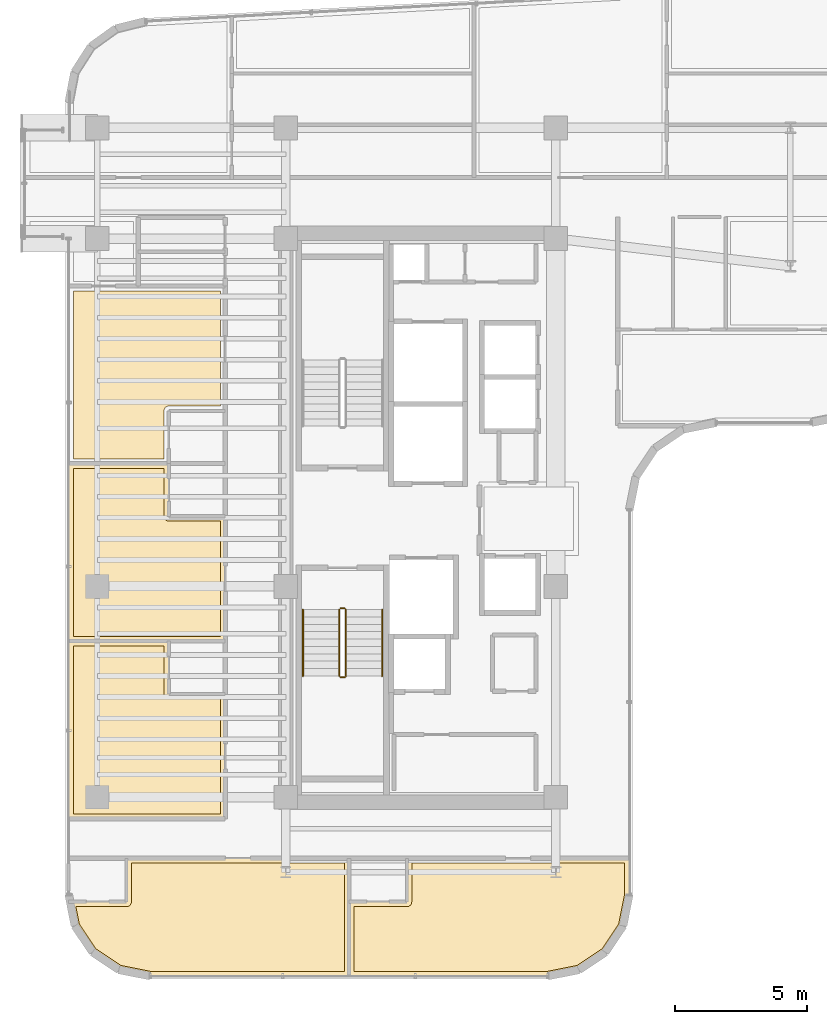
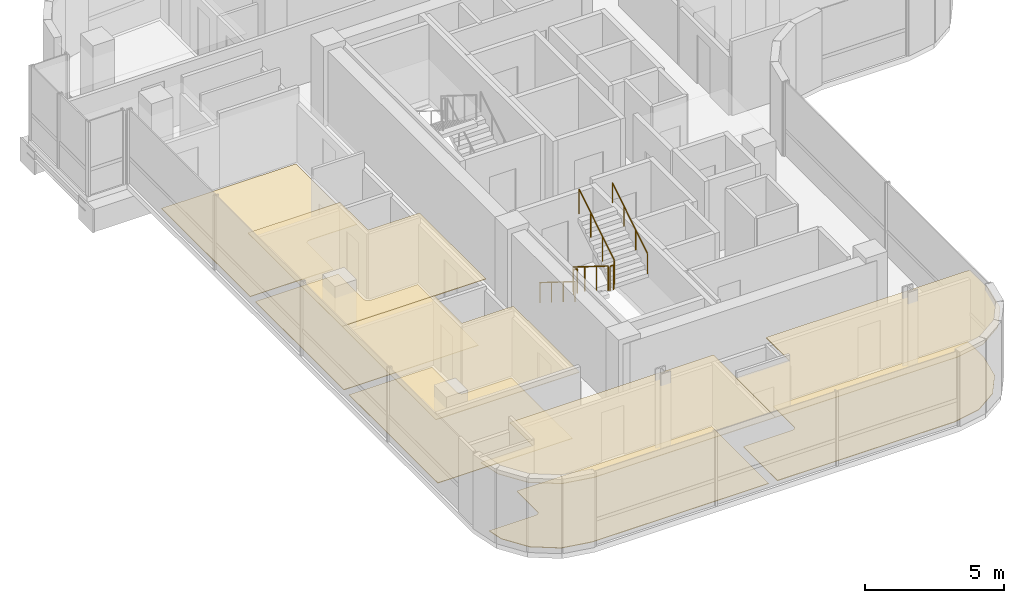
# One storey, part 21 of 23: 9 coverings, 6 railings.
"""IFC4 building model written with IfcOpenShell, lengths in metres."""

from ifc_helpers import new_model, si_unit, direction, frame, origin, origin_2d, place, context, subcontext, project, spatial, polyline, circle, outline, extrude, material, layer, layer_set, type_object, element, save


model = new_model("IFC4")

# Units and contexts
model_context = context("Model", 3, precision=1e-05, world=origin(), true_north=direction((0.0, 1.0)))
body_context = subcontext(model_context, "Body", "Model", "MODEL_VIEW")
ifc_project = project(units=[si_unit("LENGTHUNIT", "METRE"), si_unit("AREAUNIT", "SQUARE_METRE"), si_unit("VOLUMEUNIT", "CUBIC_METRE"), si_unit("PLANEANGLEUNIT", "RADIAN"), si_unit("MASSUNIT", "GRAM", prefix="KILO")], contexts=[model_context])

# Site, building, storey
site_placement = place(None, origin())
site = spatial("IfcSite", under=ifc_project, at=site_placement, CompositionType="ELEMENT")
building_placement = place(site_placement, origin())
building = spatial("IfcBuilding", under=site, at=building_placement, Name="Valdorenza Pilgrim Sanctuary Tower", CompositionType="ELEMENT")
storey_placement = place(building_placement, frame((0.0, 0.0, 226.5)))
storey = spatial("IfcBuildingStorey", under=building, at=storey_placement, Name="L58", CompositionType="ELEMENT", Elevation=226.5)

# Coverings
ifc_material_1 = material(Name="Micro-perforated acoustic mineral ceiling tile", Category="gypsum")
ifc_layer_1 = layer(ifc_material_1, 0.02490234375, Name="Micro-perforated acoustic mineral ceiling tile")
ifc_layer_set_1 = layer_set([ifc_layer_1], Name="Micro-perforated acoustic mineral ceiling tile")
covering_type_1 = type_object("IfcCoveringType", Name="COV-CLG-ACU", PredefinedType="CEILING", material=ifc_layer_set_1)
covering_1_placement = place(storey_placement, frame((0.0, 0.0, 2.9599609375)))
element("IfcCovering", 1, at=covering_1_placement, inside=storey, type_object=covering_type_1, Name="L58 Sanctuary Guest Room L58-W1 Acoustic Ceiling", PredefinedType="CEILING", context=body_context, shape_type="SweptSolid", body=[
    extrude(outline(polyline([(-30.905029296875, -4.679931640625), (-30.90478515625, -4.678466796875), (-30.90478515625, -4.677001953125), (-30.904296875, -4.675537109375), (-30.90380859375, -4.67431640625), (-30.9033203125, -4.6728515625), (-30.902587890625, -4.671630859375), (-30.901611328125, -4.67041015625), (-30.900634765625, -4.66943359375), (-30.8994140625, -4.66845703125), (-30.898193359375, -4.66748046875), (-30.897216796875, -4.666748046875), (-30.895751953125, -4.666015625), (-30.894287109375, -4.66552734375), (-30.892822265625, -4.665283203125), (-30.8916015625, -4.6650390625), (-30.889892578125, -4.6650390625), (-27.090087890625, -4.6650390625), (-27.08837890625, -4.6650390625), (-27.087158203125, -4.665283203125), (-27.085693359375, -4.66552734375), (-27.084228515625, -4.666015625), (-27.0830078125, -4.666748046875), (-27.081787109375, -4.66748046875), (-27.08056640625, -4.66845703125), (-27.079345703125, -4.66943359375), (-27.078369140625, -4.67041015625), (-27.077392578125, -4.671630859375), (-27.076904296875, -4.6728515625), (-27.076171875, -4.67431640625), (-27.07568359375, -4.675537109375), (-27.0751953125, -4.677001953125), (-27.0751953125, -4.678466796875), (-27.074951171875, -4.679931640625), (-27.074951171875, -6.6669921875), (-24.949951171875, -6.6669921875), (-24.948486328125, -6.6669921875), (-24.947021484375, -6.667236328125), (-24.945556640625, -6.66748046875), (-24.9443359375, -6.668212890625), (-24.94287109375, -6.668701171875), (-24.941650390625, -6.66943359375), (-24.9404296875, -6.67041015625), (-24.939453125, -6.67138671875), (-24.9384765625, -6.672607421875), (-24.9375, -6.673583984375), (-24.936767578125, -6.6748046875), (-24.93603515625, -6.67626953125), (-24.935546875, -6.677490234375), (-24.935302734375, -6.67919921875), (-24.93505859375, -6.680419921875), (-24.93505859375, -6.681884765625), (-24.93505859375, -11.419921875), (-24.93505859375, -11.42138671875), (-24.935302734375, -11.4228515625), (-24.935546875, -11.42431640625), (-24.93603515625, -11.42578125), (-24.936767578125, -11.427001953125), (-24.9375, -11.42822265625), (-24.9384765625, -11.429443359375), (-24.939453125, -11.4306640625), (-24.9404296875, -11.431640625), (-24.941650390625, -11.4326171875), (-24.94287109375, -11.43310546875), (-24.9443359375, -11.433837890625), (-24.945556640625, -11.434326171875), (-24.947021484375, -11.434814453125), (-24.948486328125, -11.434814453125), (-24.949951171875, -11.43505859375), (-30.889892578125, -11.43505859375), (-30.8916015625, -11.434814453125), (-30.892822265625, -11.434814453125), (-30.894287109375, -11.434326171875), (-30.895751953125, -11.433837890625), (-30.897216796875, -11.43310546875), (-30.898193359375, -11.4326171875), (-30.8994140625, -11.431640625), (-30.900634765625, -11.4306640625), (-30.901611328125, -11.429443359375), (-30.902587890625, -11.42822265625), (-30.9033203125, -11.427001953125), (-30.90380859375, -11.42578125), (-30.904296875, -11.42431640625), (-30.90478515625, -11.4228515625), (-30.90478515625, -11.42138671875), (-30.905029296875, -11.419921875), (-30.905029296875, -4.679931640625)])), origin(), (0.0, 0.0, 1.0), 0.025146484375),
])
covering_2_placement = place(storey_placement, frame((0.0, 0.0, 2.9599609375)))
element("IfcCovering", 2, at=covering_2_placement, inside=storey, type_object=covering_type_1, Name="L58 Sanctuary Guest Room L58-W2 Acoustic Ceiling", PredefinedType="CEILING", context=body_context, shape_type="SweptSolid", body=[
    extrude(outline(polyline([(-30.905029296875, 2.06005859375), (-30.90478515625, 2.0615234375), (-30.90478515625, 2.06298828125), (-30.904296875, 2.064453125), (-30.90380859375, 2.065673828125), (-30.9033203125, 2.067138671875), (-30.902587890625, 2.068359375), (-30.901611328125, 2.069580078125), (-30.900634765625, 2.070556640625), (-30.8994140625, 2.071533203125), (-30.898193359375, 2.072509765625), (-30.897216796875, 2.0732421875), (-30.895751953125, 2.073974609375), (-30.894287109375, 2.074462890625), (-30.892822265625, 2.07470703125), (-30.8916015625, 2.074951171875), (-30.889892578125, 2.074951171875), (-27.090087890625, 2.074951171875), (-27.08837890625, 2.074951171875), (-27.087158203125, 2.07470703125), (-27.085693359375, 2.074462890625), (-27.084228515625, 2.073974609375), (-27.0830078125, 2.0732421875), (-27.081787109375, 2.072509765625), (-27.08056640625, 2.071533203125), (-27.079345703125, 2.070556640625), (-27.078369140625, 2.069580078125), (-27.077392578125, 2.068359375), (-27.076904296875, 2.067138671875), (-27.076171875, 2.065673828125), (-27.07568359375, 2.064453125), (-27.0751953125, 2.06298828125), (-27.0751953125, 2.0615234375), (-27.074951171875, 2.06005859375), (-27.074951171875, 0.072998046875), (-24.949951171875, 0.072998046875), (-24.948486328125, 0.072998046875), (-24.947021484375, 0.07275390625), (-24.945556640625, 0.072509765625), (-24.9443359375, 0.072021484375), (-24.94287109375, 0.0712890625), (-24.941650390625, 0.070556640625), (-24.9404296875, 0.069580078125), (-24.939453125, 0.068603515625), (-24.9384765625, 0.0673828125), (-24.9375, 0.06640625), (-24.936767578125, 0.065185546875), (-24.93603515625, 0.063720703125), (-24.935546875, 0.0625), (-24.935302734375, 0.060791015625), (-24.93505859375, 0.0595703125), (-24.93505859375, 0.05810546875), (-24.93505859375, -4.677978515625), (-24.93505859375, -4.679443359375), (-24.935302734375, -4.680908203125), (-24.935546875, -4.682373046875), (-24.93603515625, -4.68359375), (-24.936767578125, -4.68505859375), (-24.9375, -4.686279296875), (-24.9384765625, -4.6875), (-24.939453125, -4.688720703125), (-24.9404296875, -4.689697265625), (-24.941650390625, -4.6904296875), (-24.94287109375, -4.691162109375), (-24.9443359375, -4.69189453125), (-24.945556640625, -4.6923828125), (-24.947021484375, -4.692626953125), (-24.948486328125, -4.69287109375), (-24.949951171875, -4.693115234375), (-27.086181640625, -4.693115234375), (-27.0869140625, -4.693115234375), (-27.08837890625, -4.693359375), (-27.090087890625, -4.693115234375), (-27.091552734375, -4.693115234375), (-27.091796875, -4.693115234375), (-30.889892578125, -4.693115234375), (-30.8916015625, -4.69287109375), (-30.892822265625, -4.692626953125), (-30.894287109375, -4.6923828125), (-30.895751953125, -4.69189453125), (-30.897216796875, -4.691162109375), (-30.898193359375, -4.6904296875), (-30.8994140625, -4.689697265625), (-30.900634765625, -4.688720703125), (-30.901611328125, -4.6875), (-30.902587890625, -4.686279296875), (-30.9033203125, -4.68505859375), (-30.90380859375, -4.68359375), (-30.904296875, -4.682373046875), (-30.90478515625, -4.680908203125), (-30.90478515625, -4.679443359375), (-30.905029296875, -4.677978515625), (-30.905029296875, 2.06005859375)])), origin(), (0.0, 0.0, 1.0), 0.025146484375),
])
covering_3_placement = place(storey_placement, frame((0.0, 0.0, 2.9599609375)))
element("IfcCovering", 3, at=covering_3_placement, inside=storey, type_object=covering_type_1, Name="L58 South Sanctuary Guest Room L58-S1A Acoustic Ceiling", PredefinedType="CEILING", context=body_context, shape_type="SweptSolid", body=[
    extrude(outline(polyline([(-28.702880859375, -14.556884765625), (-28.702880859375, -12.919921875), (-28.702880859375, -12.91845703125), (-28.70263671875, -12.9169921875), (-28.702392578125, -12.91552734375), (-28.701904296875, -12.914306640625), (-28.701171875, -12.912841796875), (-28.700439453125, -12.91162109375), (-28.69970703125, -12.910400390625), (-28.698486328125, -12.909423828125), (-28.697509765625, -12.908447265625), (-28.6962890625, -12.907470703125), (-28.695068359375, -12.90673828125), (-28.693603515625, -12.906005859375), (-28.6923828125, -12.905517578125), (-28.69091796875, -12.9052734375), (-28.689453125, -12.905029296875), (-28.68798828125, -12.905029296875), (-20.25, -12.905029296875), (-20.24853515625, -12.905029296875), (-20.2470703125, -12.9052734375), (-20.24560546875, -12.905517578125), (-20.244384765625, -12.906005859375), (-20.242919921875, -12.90673828125), (-20.24169921875, -12.907470703125), (-20.240478515625, -12.908447265625), (-20.239501953125, -12.909423828125), (-20.23828125, -12.910400390625), (-20.237548828125, -12.91162109375), (-20.23681640625, -12.912841796875), (-20.236083984375, -12.914306640625), (-20.235595703125, -12.91552734375), (-20.2353515625, -12.9169921875), (-20.235107421875, -12.91845703125), (-20.235107421875, -12.919921875), (-20.235107421875, -17.389892578125), (-20.235107421875, -17.3916015625), (-20.2353515625, -17.392822265625), (-20.235595703125, -17.394287109375), (-20.236083984375, -17.395751953125), (-20.23681640625, -17.397216796875), (-20.237548828125, -17.398193359375), (-20.23828125, -17.3994140625), (-20.239501953125, -17.400634765625), (-20.240478515625, -17.401611328125), (-20.24169921875, -17.402587890625), (-20.242919921875, -17.4033203125), (-20.244384765625, -17.40380859375), (-20.24560546875, -17.404296875), (-20.2470703125, -17.40478515625), (-20.24853515625, -17.40478515625), (-20.25, -17.405029296875), (-27.789306640625, -17.405029296875), (-27.79052734375, -17.40478515625), (-27.7919921875, -17.40478515625), (-28.984619140625, -17.16748046875), (-28.986083984375, -17.1669921875), (-28.9873046875, -17.16650390625), (-28.98876953125, -17.166015625), (-28.989990234375, -17.165283203125), (-29.99169921875, -16.495849609375), (-29.992919921875, -16.4951171875), (-29.993896484375, -16.493896484375), (-29.9951171875, -16.492919921875), (-29.995849609375, -16.49169921875), (-30.665283203125, -15.489990234375), (-30.666015625, -15.48876953125), (-30.66650390625, -15.4873046875), (-30.6669921875, -15.486083984375), (-30.66748046875, -15.484619140625), (-30.848388671875, -14.574951171875), (-30.8486328125, -14.573486328125), (-30.8486328125, -14.572021484375), (-30.8486328125, -14.570556640625), (-30.848388671875, -14.569091796875), (-30.84814453125, -14.567626953125), (-30.84765625, -14.56640625), (-30.846923828125, -14.56494140625), (-30.84619140625, -14.563720703125), (-30.84521484375, -14.5625), (-30.84423828125, -14.561279296875), (-30.84326171875, -14.560302734375), (-30.842041015625, -14.5595703125), (-30.8408203125, -14.558837890625), (-30.839599609375, -14.55810546875), (-30.838134765625, -14.5576171875), (-30.836669921875, -14.557373046875), (-30.835205078125, -14.55712890625), (-30.833740234375, -14.556884765625), (-28.702880859375, -14.556884765625)])), origin(), (0.0, 0.0, 1.0), 0.025146484375),
])
covering_4_placement = place(storey_placement, frame((0.0, 0.0, 2.9599609375)))
element("IfcCovering", 4, at=covering_4_placement, inside=storey, type_object=covering_type_1, Name="L58 South Sanctuary Guest Room L58-S1B Acoustic Ceiling", PredefinedType="CEILING", context=body_context, shape_type="SweptSolid", body=[
    extrude(outline(polyline([(-18.06298828125, -14.556884765625), (-18.06298828125, -12.919921875), (-18.06298828125, -12.91845703125), (-18.062744140625, -12.9169921875), (-18.0625, -12.91552734375), (-18.06201171875, -12.914306640625), (-18.061279296875, -12.912841796875), (-18.060546875, -12.91162109375), (-18.0595703125, -12.910400390625), (-18.05859375, -12.909423828125), (-18.0576171875, -12.908447265625), (-18.056396484375, -12.907470703125), (-18.05517578125, -12.90673828125), (-18.0537109375, -12.906005859375), (-18.052490234375, -12.905517578125), (-18.05078125, -12.9052734375), (-18.049560546875, -12.905029296875), (-18.048095703125, -12.905029296875), (-9.610107421875, -12.905029296875), (-9.6083984375, -12.905029296875), (-9.607177734375, -12.9052734375), (-9.605712890625, -12.905517578125), (-9.604248046875, -12.906005859375), (-9.602783203125, -12.90673828125), (-9.601806640625, -12.907470703125), (-9.6005859375, -12.908447265625), (-9.599365234375, -12.909423828125), (-9.598388671875, -12.910400390625), (-9.597412109375, -12.91162109375), (-9.5966796875, -12.912841796875), (-9.59619140625, -12.914306640625), (-9.595703125, -12.91552734375), (-9.59521484375, -12.9169921875), (-9.59521484375, -12.91845703125), (-9.594970703125, -12.919921875), (-9.594970703125, -14.289306640625), (-9.59521484375, -14.29052734375), (-9.59521484375, -14.2919921875), (-9.83251953125, -15.484619140625), (-9.8330078125, -15.486083984375), (-9.83349609375, -15.4873046875), (-9.833984375, -15.48876953125), (-9.834716796875, -15.489990234375), (-10.504150390625, -16.49169921875), (-10.5048828125, -16.492919921875), (-10.506103515625, -16.493896484375), (-10.507080078125, -16.4951171875), (-10.50830078125, -16.495849609375), (-11.510009765625, -17.165283203125), (-11.51123046875, -17.166015625), (-11.5126953125, -17.16650390625), (-11.513916015625, -17.1669921875), (-11.515380859375, -17.16748046875), (-12.7080078125, -17.40478515625), (-12.70947265625, -17.40478515625), (-12.710693359375, -17.405029296875), (-20.248046875, -17.405029296875), (-20.24951171875, -17.40478515625), (-20.2509765625, -17.40478515625), (-20.25244140625, -17.404296875), (-20.253662109375, -17.40380859375), (-20.255126953125, -17.4033203125), (-20.25634765625, -17.402587890625), (-20.257568359375, -17.401611328125), (-20.258544921875, -17.400634765625), (-20.259521484375, -17.3994140625), (-20.260498046875, -17.398193359375), (-20.26123046875, -17.397216796875), (-20.261962890625, -17.395751953125), (-20.262451171875, -17.394287109375), (-20.2626953125, -17.392822265625), (-20.262939453125, -17.3916015625), (-20.262939453125, -17.389892578125), (-20.262939453125, -14.572021484375), (-20.262939453125, -14.570556640625), (-20.2626953125, -14.569091796875), (-20.262451171875, -14.567626953125), (-20.261962890625, -14.56640625), (-20.26123046875, -14.56494140625), (-20.260498046875, -14.563720703125), (-20.259521484375, -14.5625), (-20.258544921875, -14.561279296875), (-20.257568359375, -14.560302734375), (-20.25634765625, -14.5595703125), (-20.255126953125, -14.558837890625), (-20.253662109375, -14.55810546875), (-20.25244140625, -14.5576171875), (-20.2509765625, -14.557373046875), (-20.24951171875, -14.55712890625), (-20.248046875, -14.556884765625), (-18.06298828125, -14.556884765625)])), origin(), (0.0, 0.0, 1.0), 0.025146484375),
])
ifc_material_2 = material(Name="Engineered European oak timber flooring", Category="wood")
ifc_layer_2 = layer(ifc_material_2, 0.02197265625, Name="Engineered European oak timber flooring")
ifc_layer_set_2 = layer_set([ifc_layer_2], Name="Engineered European oak timber flooring")
covering_type_2 = type_object("IfcCoveringType", Name="COV-FLR-OAK", PredefinedType="FLOORING", material=ifc_layer_set_2)
covering_5_placement = place(storey_placement, origin())
element("IfcCovering", 5, at=covering_5_placement, inside=storey, type_object=covering_type_2, Name="L58 Sanctuary Guest Room L58-W1 Flooring", PredefinedType="FLOORING", context=body_context, shape_type="SweptSolid", body=[
    extrude(outline(polyline([(-30.7099609375, -4.860107421875), (-27.27001953125, -4.860107421875), (-27.27001953125, -6.679931640625), (-27.269775390625, -6.688720703125), (-27.269775390625, -6.68896484375), (-27.26806640625, -6.70654296875), (-27.26806640625, -6.706787109375), (-27.2646484375, -6.72412109375), (-27.264404296875, -6.724365234375), (-27.259521484375, -6.7412109375), (-27.25927734375, -6.741455078125), (-27.252685546875, -6.7578125), (-27.25244140625, -6.7578125), (-27.244140625, -6.7734375), (-27.244140625, -6.773681640625), (-27.234130859375, -6.788330078125), (-27.234130859375, -6.78857421875), (-27.222900390625, -6.802001953125), (-27.222900390625, -6.80224609375), (-27.210205078125, -6.814697265625), (-27.210205078125, -6.81494140625), (-27.196533203125, -6.826171875), (-27.1962890625, -6.826171875), (-27.181640625, -6.836181640625), (-27.181396484375, -6.836181640625), (-27.166015625, -6.844482421875), (-27.165771484375, -6.844482421875), (-27.1494140625, -6.851318359375), (-27.149169921875, -6.851318359375), (-27.13232421875, -6.8564453125), (-27.132080078125, -6.856689453125), (-27.11474609375, -6.860107421875), (-27.114501953125, -6.860107421875), (-27.096923828125, -6.86181640625), (-27.0966796875, -6.86181640625), (-27.087890625, -6.862060546875), (-25.1298828125, -6.862060546875), (-25.1298828125, -11.239990234375), (-30.7099609375, -11.239990234375), (-30.7099609375, -4.860107421875)])), origin(), (0.0, 0.0, 1.0), 0.02490234375),
])
covering_6_placement = place(storey_placement, origin())
element("IfcCovering", 6, at=covering_6_placement, inside=storey, type_object=covering_type_2, Name="L58 Sanctuary Guest Room L58-W2 Flooring", PredefinedType="FLOORING", context=body_context, shape_type="SweptSolid", body=[
    extrude(outline(polyline([(-30.7099609375, 1.8798828125), (-27.27001953125, 1.8798828125), (-27.27001953125, 0.06005859375), (-27.269775390625, 0.05126953125), (-27.269775390625, 0.051025390625), (-27.26806640625, 0.033447265625), (-27.26806640625, 0.033203125), (-27.2646484375, 0.015869140625), (-27.264404296875, 0.015625), (-27.259521484375, -0.001220703125), (-27.25927734375, -0.00146484375), (-27.252685546875, -0.017578125), (-27.25244140625, -0.017822265625), (-27.244140625, -0.033447265625), (-27.244140625, -0.03369140625), (-27.234130859375, -0.04833984375), (-27.234130859375, -0.048583984375), (-27.222900390625, -0.06201171875), (-27.222900390625, -0.062255859375), (-27.210205078125, -0.07470703125), (-27.210205078125, -0.074951171875), (-27.196533203125, -0.086181640625), (-27.1962890625, -0.086181640625), (-27.181640625, -0.09619140625), (-27.181396484375, -0.09619140625), (-27.166015625, -0.1044921875), (-27.165771484375, -0.1044921875), (-27.1494140625, -0.111328125), (-27.149169921875, -0.111328125), (-27.13232421875, -0.116455078125), (-27.132080078125, -0.11669921875), (-27.11474609375, -0.1201171875), (-27.114501953125, -0.1201171875), (-27.096923828125, -0.121826171875), (-27.0966796875, -0.121826171875), (-27.087890625, -0.1220703125), (-25.1298828125, -0.1220703125), (-25.1298828125, -4.498046875), (-27.087890625, -4.498046875), (-27.089111328125, -4.498046875), (-27.089599609375, -4.498046875), (-27.090087890625, -4.498046875), (-30.7099609375, -4.498046875), (-30.7099609375, 1.8798828125)])), origin(), (0.0, 0.0, 1.0), 0.02490234375),
])
covering_7_placement = place(storey_placement, origin())
element("IfcCovering", 7, at=covering_7_placement, inside=storey, type_object=covering_type_2, Name="L58 Sanctuary Guest Room L58-W3 Flooring", PredefinedType="FLOORING", context=body_context, shape_type="SweptSolid", body=[
    extrude(outline(polyline([(-28.250244140625, 8.617919921875), (-28.25, 8.617919921875), (-25.1298828125, 8.617919921875), (-25.1298828125, 4.241943359375), (-27.087890625, 4.241943359375), (-27.0966796875, 4.24169921875), (-27.096923828125, 4.24169921875), (-27.114501953125, 4.239990234375), (-27.11474609375, 4.239990234375), (-27.132080078125, 4.236572265625), (-27.13232421875, 4.236572265625), (-27.149169921875, 4.2314453125), (-27.1494140625, 4.231201171875), (-27.165771484375, 4.224609375), (-27.166015625, 4.224609375), (-27.181396484375, 4.21630859375), (-27.181640625, 4.216064453125), (-27.1962890625, 4.206298828125), (-27.196533203125, 4.2060546875), (-27.210205078125, 4.19482421875), (-27.210205078125, 4.19482421875), (-27.222900390625, 4.182373046875), (-27.222900390625, 4.18212890625), (-27.234130859375, 4.16845703125), (-27.234130859375, 4.168212890625), (-27.244140625, 4.153564453125), (-27.244140625, 4.153564453125), (-27.25244140625, 4.137939453125), (-27.252685546875, 4.1376953125), (-27.25927734375, 4.121337890625), (-27.259521484375, 4.12109375), (-27.264404296875, 4.104248046875), (-27.2646484375, 4.10400390625), (-27.26806640625, 4.0869140625), (-27.26806640625, 4.086669921875), (-27.269775390625, 4.069091796875), (-27.269775390625, 4.06884765625), (-27.27001953125, 4.06005859375), (-27.27001953125, 2.241943359375), (-30.7099609375, 2.241943359375), (-30.7099609375, 8.617919921875), (-28.251953125, 8.617919921875), (-28.2509765625, 8.617919921875), (-28.250244140625, 8.617919921875)])), origin(), (0.0, 0.0, 1.0), 0.02490234375),
])
covering_8_placement = place(storey_placement, origin())
element("IfcCovering", 8, at=covering_8_placement, inside=storey, type_object=covering_type_2, Name="L58 South Sanctuary Guest Room L58-S1A Flooring", PredefinedType="FLOORING", context=body_context, shape_type="SweptSolid", body=[
    extrude(outline(polyline([(-27.771484375, -17.2099609375), (-28.911376953125, -16.983154296875), (-29.853515625, -16.353515625), (-30.483154296875, -15.411376953125), (-30.614501953125, -14.751953125), (-28.68994140625, -14.751953125), (-28.68115234375, -14.751708984375), (-28.680908203125, -14.751708984375), (-28.663330078125, -14.75), (-28.6630859375, -14.75), (-28.64599609375, -14.74658203125), (-28.645751953125, -14.74658203125), (-28.62890625, -14.741455078125), (-28.628662109375, -14.7412109375), (-28.6123046875, -14.734619140625), (-28.612060546875, -14.734619140625), (-28.596435546875, -14.726318359375), (-28.596435546875, -14.72607421875), (-28.581787109375, -14.71630859375), (-28.58154296875, -14.716064453125), (-28.56787109375, -14.704833984375), (-28.567626953125, -14.704833984375), (-28.55517578125, -14.6923828125), (-28.55517578125, -14.692138671875), (-28.5439453125, -14.678466796875), (-28.543701171875, -14.67822265625), (-28.533935546875, -14.66357421875), (-28.53369140625, -14.66357421875), (-28.525390625, -14.64794921875), (-28.525390625, -14.647705078125), (-28.518798828125, -14.63134765625), (-28.5185546875, -14.631103515625), (-28.513427734375, -14.6142578125), (-28.513427734375, -14.614013671875), (-28.510009765625, -14.5966796875), (-28.510009765625, -14.5966796875), (-28.50830078125, -14.5791015625), (-28.50830078125, -14.578857421875), (-28.508056640625, -14.570068359375), (-28.508056640625, -13.10009765625), (-20.429931640625, -13.10009765625), (-20.429931640625, -17.2099609375), (-27.771484375, -17.2099609375)])), origin(), (0.0, 0.0, 1.0), 0.02490234375),
])
covering_9_placement = place(storey_placement, origin())
element("IfcCovering", 9, at=covering_9_placement, inside=storey, type_object=covering_type_2, Name="L58 South Sanctuary Guest Room L58-S1B Flooring", PredefinedType="FLOORING", context=body_context, shape_type="SweptSolid", body=[
    extrude(outline(polyline([(-10.016845703125, -15.411376953125), (-10.646484375, -16.353515625), (-11.588623046875, -16.983154296875), (-12.728515625, -17.2099609375), (-20.068115234375, -17.2099609375), (-20.068115234375, -14.751953125), (-18.050048828125, -14.751953125), (-18.041259765625, -14.751708984375), (-18.041015625, -14.751708984375), (-18.0234375, -14.75), (-18.023193359375, -14.75), (-18.005859375, -14.74658203125), (-18.005615234375, -14.74658203125), (-17.98876953125, -14.741455078125), (-17.988525390625, -14.7412109375), (-17.972412109375, -14.734619140625), (-17.97216796875, -14.734619140625), (-17.95654296875, -14.726318359375), (-17.956298828125, -14.72607421875), (-17.941650390625, -14.71630859375), (-17.94140625, -14.716064453125), (-17.927978515625, -14.704833984375), (-17.927734375, -14.704833984375), (-17.915283203125, -14.6923828125), (-17.9150390625, -14.692138671875), (-17.90380859375, -14.678466796875), (-17.90380859375, -14.67822265625), (-17.893798828125, -14.66357421875), (-17.893798828125, -14.66357421875), (-17.885498046875, -14.64794921875), (-17.885498046875, -14.647705078125), (-17.878662109375, -14.63134765625), (-17.878662109375, -14.631103515625), (-17.87353515625, -14.6142578125), (-17.873291015625, -14.614013671875), (-17.8701171875, -14.5966796875), (-17.8701171875, -14.5966796875), (-17.8681640625, -14.5791015625), (-17.8681640625, -14.578857421875), (-17.867919921875, -14.570068359375), (-17.867919921875, -13.10009765625), (-9.7900390625, -13.10009765625), (-9.7900390625, -14.271484375), (-10.016845703125, -15.411376953125)])), origin(), (0.0, 0.0, 1.0), 0.02490234375),
])

# Railings
ifc_material_3 = material(Name="Stainless steel Grade 316", Category="steel")
railing_type_1 = type_object("IfcRailingType", Name="RLG-GRD-1120", PredefinedType="GUARDRAIL", material=ifc_material_3)
railing_1_placement = place(storey_placement, frame((-20.6201171875, -3.47998046875, 0.175048828125)))
element("IfcRailing", 10, at=railing_1_placement, inside=storey, type_object=railing_type_1, Name="L58 ST-A2 stair guard 1", PredefinedType="GUARDRAIL", context=body_context, shape_type="SweptSolid", body=[
    extrude(circle(Radius=0.02392578125, at=origin_2d()), frame((0.0, 0.0, 1.076171875), z_axis=(0.0, -0.848007534815, 0.529984170421), x_axis=(1.0, 0.0, 0.0)), (0.0, 0.0, 1.0), 2.9716796875),
    extrude(circle(Radius=0.02099609375, at=origin_2d()), origin(), (0.0, 0.0, 1.0), 1.052001953125),
    extrude(circle(Radius=0.02099609375, at=origin_2d()), frame((0.0, -0.840087890625, 0.52490234375)), (0.0, 0.0, 1.0), 1.052001953125),
    extrude(circle(Radius=0.02099609375, at=origin_2d()), frame((0.0, -1.679931640625, 1.050048828125)), (0.0, 0.0, 1.0), 1.052001953125),
    extrude(circle(Radius=0.02099609375, at=origin_2d()), frame((0.0, -2.52001953125, 1.574951171875)), (0.0, 0.0, 1.0), 1.052001953125),
])
railing_2_placement = place(storey_placement, frame((-20.570068359375, -6.050048828125, 1.75)))
element("IfcRailing", 11, at=railing_2_placement, inside=storey, type_object=railing_type_1, Name="L58 ST-A2 stair guard 2", PredefinedType="GUARDRAIL", context=body_context, shape_type="SweptSolid", body=[
    extrude(circle(Radius=0.02392578125, at=origin_2d()), frame((0.0, 0.0, 1.076171875), z_axis=(1.0, 0.0, 0.0), x_axis=(0.0, 1.0, 0.0)), (0.0, 0.0, 1.0), 0.150146484375),
    extrude(circle(Radius=0.02099609375, at=origin_2d()), origin(), (0.0, 0.0, 1.0), 1.052001953125),
    extrude(circle(Radius=0.02099609375, at=origin_2d()), frame((0.150146484375, 0.0, 0.0)), (0.0, 0.0, 1.0), 1.052001953125),
])
railing_3_placement = place(storey_placement, frame((-20.3701171875, -6.0, 1.925048828125)))
element("IfcRailing", 12, at=railing_3_placement, inside=storey, type_object=railing_type_1, Name="L58 ST-A2 stair guard 3", PredefinedType="GUARDRAIL", context=body_context, shape_type="SweptSolid", body=[
    extrude(circle(Radius=0.02392578125, at=origin_2d()), frame((0.0, 0.0, 1.076171875), z_axis=(0.0, 0.848007534815, 0.529984170421), x_axis=(-1.0, 0.0, 0.0)), (0.0, 0.0, 1.0), 2.9716796875),
    extrude(circle(Radius=0.02099609375, at=origin_2d()), origin(), (0.0, 0.0, 1.0), 1.052001953125),
    extrude(circle(Radius=0.02099609375, at=origin_2d()), frame((0.0, 0.840087890625, 0.52490234375)), (0.0, 0.0, 1.0), 1.052001953125),
    extrude(circle(Radius=0.02099609375, at=origin_2d()), frame((0.0, 1.679931640625, 1.050048828125)), (0.0, 0.0, 1.0), 1.052001953125),
    extrude(circle(Radius=0.02099609375, at=origin_2d()), frame((0.0, 2.52001953125, 1.574951171875)), (0.0, 0.0, 1.0), 1.052001953125),
])
railing_4_placement = place(storey_placement, frame((-20.570068359375, -3.429931640625, 0.0)))
element("IfcRailing", 13, at=railing_4_placement, inside=storey, type_object=railing_type_1, Name="L58 ST-A2 stair guard 4", PredefinedType="GUARDRAIL", context=body_context, shape_type="SweptSolid", body=[
    extrude(circle(Radius=0.02392578125, at=origin_2d()), frame((0.0, 0.0, 1.076171875), z_axis=(1.0, 0.0, 0.0), x_axis=(0.0, 1.0, 0.0)), (0.0, 0.0, 1.0), 0.150146484375),
    extrude(circle(Radius=0.02099609375, at=origin_2d()), origin(), (0.0, 0.0, 1.0), 1.052001953125),
    extrude(circle(Radius=0.02099609375, at=origin_2d()), frame((0.150146484375, 0.0, 0.0)), (0.0, 0.0, 1.0), 1.052001953125),
])
ifc_material_4 = material(Name="Brushed stainless steel Grade 316", Category="steel")
railing_type_2 = type_object("IfcRailingType", Name="RLG-HND-920", PredefinedType="HANDRAIL", material=ifc_material_4)
railing_5_placement = place(storey_placement, frame((-22.0, -3.47998046875, 0.175048828125)))
element("IfcRailing", 14, at=railing_5_placement, inside=storey, type_object=railing_type_2, Name="L58 ST-A2 stair handrail 1", PredefinedType="HANDRAIL", context=body_context, shape_type="SweptSolid", body=[
    extrude(circle(Radius=0.02392578125, at=origin_2d()), frame((0.0, 0.0, 0.8759765625), z_axis=(0.0, -0.848007534815, 0.529984170421), x_axis=(1.0, 0.0, 0.0)), (0.0, 0.0, 1.0), 2.9716796875),
    extrude(circle(Radius=0.02099609375, at=origin_2d()), origin(), (0.0, 0.0, 1.0), 0.851806640625),
    extrude(circle(Radius=0.02099609375, at=origin_2d()), frame((0.0, -0.840087890625, 0.52490234375)), (0.0, 0.0, 1.0), 0.851806640625),
    extrude(circle(Radius=0.02099609375, at=origin_2d()), frame((0.0, -1.679931640625, 1.050048828125)), (0.0, 0.0, 1.0), 0.851806640625),
    extrude(circle(Radius=0.02099609375, at=origin_2d()), frame((0.0, -2.52001953125, 1.574951171875)), (0.0, 0.0, 1.0), 0.851806640625),
])
railing_6_placement = place(storey_placement, frame((-18.989990234375, -6.0, 1.925048828125)))
element("IfcRailing", 15, at=railing_6_placement, inside=storey, type_object=railing_type_2, Name="L58 ST-A2 stair handrail 2", PredefinedType="HANDRAIL", context=body_context, shape_type="SweptSolid", body=[
    extrude(circle(Radius=0.02392578125, at=origin_2d()), frame((0.0, 0.0, 0.8759765625), z_axis=(0.0, 0.848007534815, 0.529984170421), x_axis=(-1.0, 0.0, 0.0)), (0.0, 0.0, 1.0), 2.9716796875),
    extrude(circle(Radius=0.02099609375, at=origin_2d()), origin(), (0.0, 0.0, 1.0), 0.851806640625),
    extrude(circle(Radius=0.02099609375, at=origin_2d()), frame((0.0, 0.840087890625, 0.52490234375)), (0.0, 0.0, 1.0), 0.851806640625),
    extrude(circle(Radius=0.02099609375, at=origin_2d()), frame((0.0, 1.679931640625, 1.050048828125)), (0.0, 0.0, 1.0), 0.851806640625),
    extrude(circle(Radius=0.02099609375, at=origin_2d()), frame((0.0, 2.52001953125, 1.574951171875)), (0.0, 0.0, 1.0), 0.851806640625),
])

save(model, "model.ifc")
